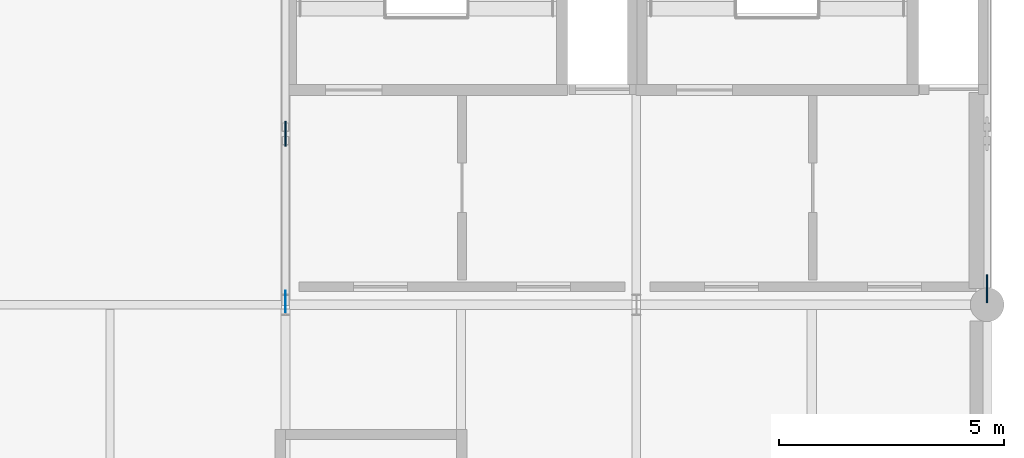
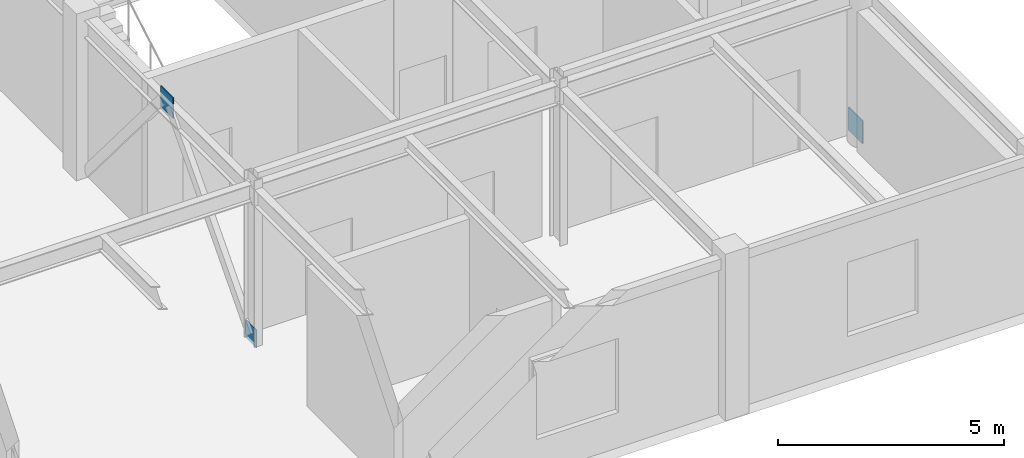
# One storey, part 17 of 28: 3 plates.
"""IFC4 building model written with IfcOpenShell, lengths in metres."""

from ifc_helpers import new_model, si_unit, direction, frame, origin, origin_2d, place, context, subcontext, project, spatial, rectangle, extrude, material, layer, layer_set, type_object, element, save


model = new_model("IFC4")

# Units and contexts
model_context = context("Model", 3, precision=1e-05, world=origin(), true_north=direction((0.0, 1.0)))
body_context = subcontext(model_context, "Body", "Model", "MODEL_VIEW")
ifc_project = project(units=[si_unit("LENGTHUNIT", "METRE"), si_unit("AREAUNIT", "SQUARE_METRE"), si_unit("VOLUMEUNIT", "CUBIC_METRE"), si_unit("PLANEANGLEUNIT", "RADIAN"), si_unit("MASSUNIT", "GRAM", prefix="KILO")], contexts=[model_context])

# Site, building, storey
site_placement = place(None, origin())
site = spatial("IfcSite", under=ifc_project, at=site_placement, CompositionType="ELEMENT")
building_placement = place(site_placement, origin())
building = spatial("IfcBuilding", under=site, at=building_placement, Name="Xicomal Pleat Aquarium", CompositionType="ELEMENT")
storey_placement = place(building_placement, frame((0.0, 0.0, 15.300048828125)))
storey = spatial("IfcBuildingStorey", under=building, at=storey_placement, Name="L04", CompositionType="ELEMENT", Elevation=15.300048828125)

# Plates
ifc_material_1 = material(Name="Structural steel A992 Gr 50", Category="steel")
ifc_layer_1 = layer(ifc_material_1, 0.02001953125)
ifc_layer_set_1 = layer_set([ifc_layer_1], Name="Structural steel A992 Gr 50")
plate_type_1 = type_object("IfcPlateType", Name="PLT-CAP-20", PredefinedType="SHEET", material=ifc_layer_set_1)
plate_1_placement = place(storey_placement, frame((141.60009765625, 83.677001953125, -0.090087890625), z_axis=(0.0, 0.0, 1.0), x_axis=(0.0, 1.0, 0.0)))
element("IfcPlate", 1, at=plate_1_placement, inside=storey, type_object=plate_type_1, Name="L04 HSS end cap plate 30", PredefinedType="SHEET", context=body_context, shape_type="SweptSolid", body=[
    extrude(rectangle(XDim=0.47998046875, YDim=0.02001953125, at=origin_2d()), origin(), (0.0, 0.0, 1.0), 0.47998046875),
])
ifc_material_2 = material(Name="Structural steel A992 Gr 50", Category="steel")
ifc_layer_2 = layer(ifc_material_2, 0.030029296875)
ifc_layer_set_2 = layer_set([ifc_layer_2], Name="Structural steel A992 Gr 50")
plate_type_2 = type_object("IfcPlateType", Name="PLT-CAP-30", PredefinedType="SHEET", material=ifc_layer_set_2)
plate_2_placement = place(storey_placement, frame((157.199951171875, 83.955078125, -0.16015625), z_axis=(0.0, 0.0, 1.0), x_axis=(0.0, 1.0, 0.0)))
element("IfcPlate", 2, at=plate_2_placement, inside=storey, type_object=plate_type_2, Name="L04 HSS end cap plate 25", PredefinedType="SHEET", context=body_context, shape_type="SweptSolid", body=[
    extrude(rectangle(XDim=0.6201171875, YDim=0.030029296875, at=origin_2d()), origin(), (0.0, 0.0, 1.0), 0.6201171875),
])
ifc_material_3 = material(Name="Structural steel A992 Gr 50", Category="steel")
ifc_layer_3 = layer(ifc_material_3, 0.02490234375)
ifc_layer_set_3 = layer_set([ifc_layer_3], Name="Structural steel A992 Gr 50")
plate_type_3 = type_object("IfcPlateType", Name="PLT-GUS-25", PredefinedType="USERDEFINED", material=ifc_layer_set_3)
plate_3_placement = place(storey_placement, frame((141.60009765625, 87.39990234375, 3.875), z_axis=(0.0, 0.0, 1.0), x_axis=(0.0, 1.0, 0.0)))
element("IfcPlate", 3, at=plate_3_placement, inside=storey, type_object=plate_type_3, Name="L04 chevron gusset node plate 30", ObjectType="GUSSET PLATE", PredefinedType="USERDEFINED", context=body_context, shape_type="SweptSolid", body=[
    extrude(rectangle(XDim=0.550048828125, YDim=0.02490234375, at=origin_2d()), origin(), (0.0, 0.0, 1.0), 0.550048828125),
])

save(model, "model.ifc")
